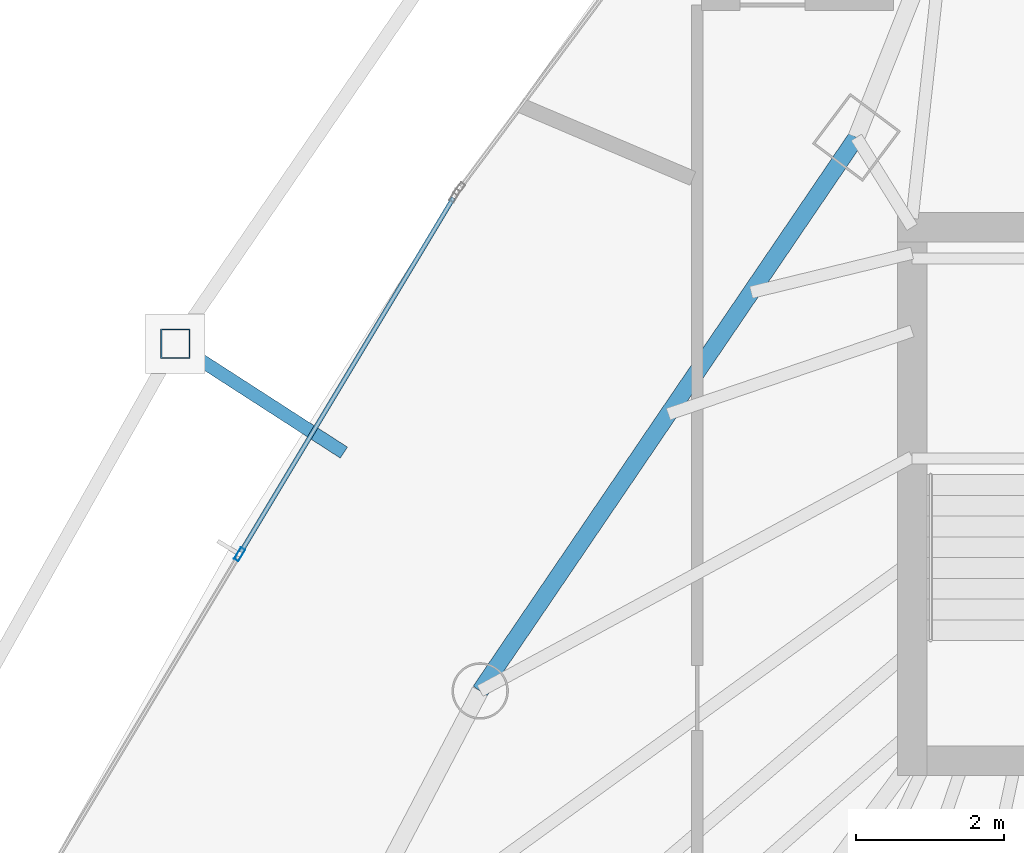
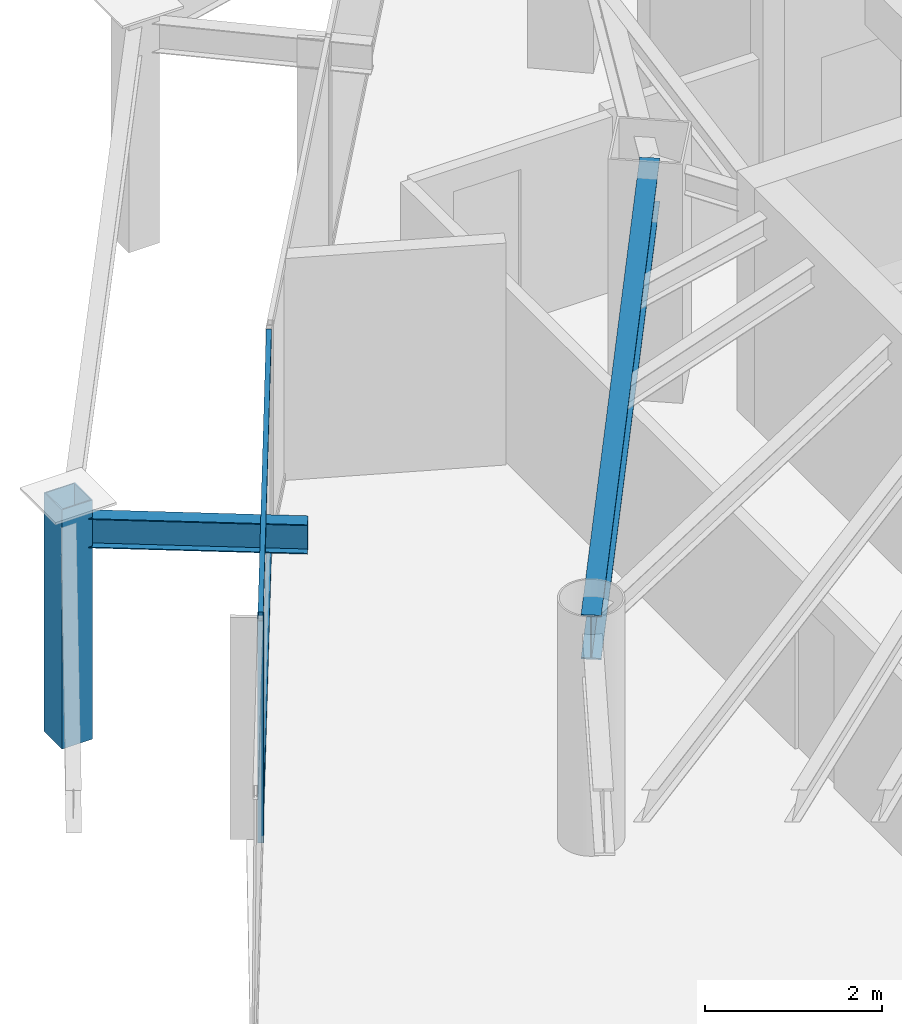
# One storey, part 11 of 31: 4 members, 2 beams, 1 element without a shape of its own.
"""IFC4 building model written with IfcOpenShell, lengths in metres."""

import ifcopenshell
import ifcopenshell.guid

model = None  # the IFC model being written
_history = None  # IfcOwnerHistory: only IFC2X3 demands one
_inside = {}  # id of a spatial element -> (the spatial element, [elements in it])
_under = {}  # id of a project, library or spatial element -> (it, [spatial elements below it])
_declared = {}  # id of a project -> (the project, [libraries it declares])
_typed = {}  # id of a type object -> (the type object, [elements of that type])
_made_of = {}  # id of a material, layer set ... -> (it, [elements and type objects made of it])


def new_model(schema):
    """Start an empty IFC model of exactly this schema.

    Asked for "IFC4X3", IfcOpenShell would pick the latest addendum, in which some entities
    have other attributes; the version numbers below select the first issue.
    IFC2X3 requires an IfcOwnerHistory on every rooted entity: one is made here for all.
    """
    global model, _history
    if schema == "IFC4X3":
        model = ifcopenshell.file(schema_version=(4, 3, 0, 0))
    else:
        model = ifcopenshell.file(schema=schema)
    _inside.clear()
    _under.clear()
    _declared.clear()
    _typed.clear()
    _made_of.clear()
    _history = None
    if model.schema == "IFC2X3":
        org = make("IfcOrganization", Name="unknown")
        user = make(
            "IfcPersonAndOrganization",
            ThePerson=make("IfcPerson", FamilyName="unknown"),
            TheOrganization=org,
        )
        app = make(
            "IfcApplication",
            ApplicationDeveloper=org,
            Version="unknown",
            ApplicationFullName="unknown",
            ApplicationIdentifier="unknown",
        )
        _history = make(
            "IfcOwnerHistory",
            OwningUser=user,
            OwningApplication=app,
            ChangeAction="ADDED",
            CreationDate=0,
        )
    return model


def make(cls, **values):
    """One entity of the class cls with the attributes given. An attribute that is None is left unset."""
    return model.create_entity(
        cls, **{name: value for name, value in values.items() if value is not None}
    )


def rooted(cls, **values):
    """An entity with a GlobalId (a new one), such as an element, a storey or a relation."""
    return make(cls, GlobalId=ifcopenshell.guid.new(), OwnerHistory=_history, **values)


def si_unit(unit_type, name, prefix=None):
    """IfcSIUnit, for example si_unit("LENGTHUNIT", "METRE", prefix="MILLI")."""
    return make("IfcSIUnit", UnitType=unit_type, Prefix=prefix, Name=name)


def assignment(units):
    """IfcUnitAssignment: the units of a project."""
    return None if units is None else make("IfcUnitAssignment", Units=units)


def point(xyz):
    """IfcCartesianPoint."""
    return None if xyz is None else make("IfcCartesianPoint", Coordinates=xyz)


def direction(xyz):
    """IfcDirection."""
    return None if xyz is None else make("IfcDirection", DirectionRatios=xyz)


def frame(location, z_axis=None, x_axis=None):
    """IfcAxis2Placement3D, a coordinate frame: its origin and axes. An axis left out is left unset."""
    return make(
        "IfcAxis2Placement3D",
        Location=point(location),
        Axis=direction(z_axis),
        RefDirection=direction(x_axis),
    )


def frame_2d(location, x_axis=None):
    """IfcAxis2Placement2D, a coordinate frame in the plane: its origin and x axis."""
    return make(
        "IfcAxis2Placement2D", Location=point(location), RefDirection=direction(x_axis)
    )


def origin():
    """The frame at (0, 0, 0) with its axes left unset."""
    return frame((0.0, 0.0, 0.0))


def origin_2d():
    """The frame at (0, 0) in the plane with its x axis left unset."""
    return frame_2d((0.0, 0.0))


def place(relative_to, where):
    """IfcLocalPlacement: puts the frame where relative to a parent placement (None: the world)."""
    return make(
        "IfcLocalPlacement", PlacementRelTo=relative_to, RelativePlacement=where
    )


def context(
    kind, dimensions, precision=None, world=None, true_north=None, identifier=None
):
    """IfcGeometricRepresentationContext, for example the 3D "Model" context."""
    return make(
        "IfcGeometricRepresentationContext",
        ContextIdentifier=identifier,
        ContextType=kind,
        CoordinateSpaceDimension=dimensions,
        Precision=precision,
        WorldCoordinateSystem=world,
        TrueNorth=true_north,
    )


def subcontext(parent, identifier, kind, view, scale=None):
    """IfcGeometricRepresentationSubContext, for example "Body" below "Model"."""
    return make(
        "IfcGeometricRepresentationSubContext",
        ContextIdentifier=identifier,
        ContextType=kind,
        ParentContext=parent,
        TargetScale=scale,
        TargetView=view,
    )


def project(units=None, contexts=None):
    """IfcProject with its units and contexts."""
    return rooted(
        "IfcProject",
        Name="project",
        RepresentationContexts=contexts,
        UnitsInContext=assignment(units),
    )


def spatial(cls, under=None, at=None, **own):
    """A site, building, storey or space (cls), placed at a placement, below another one or the project."""
    s = rooted(cls, ObjectPlacement=at, **own)
    if under is not None:
        _under.setdefault(under.id(), (under, []))[1].append(s)
    return s


def profile(cls, at=None, kind="AREA", **sizes):
    """A parametric profile (cls). Its sizes go by their IFC names, for example OverallWidth=200.0."""
    return make(cls, ProfileType=kind, Position=at, **sizes)


def hollow_rectangle(**sizes):
    """IfcRectangleHollowProfileDef."""
    return profile("IfcRectangleHollowProfileDef", **sizes)


def i_section(**sizes):
    """IfcIShapeProfileDef."""
    return profile("IfcIShapeProfileDef", **sizes)


def extrude(swept, where, along, depth):
    """IfcExtrudedAreaSolid: the profile swept, set in the frame where, extruded along a direction by depth."""
    return make(
        "IfcExtrudedAreaSolid",
        SweptArea=swept,
        Position=where,
        ExtrudedDirection=direction(along),
        Depth=depth,
    )


def shape(context_of_items, identifier, shape_type, items):
    """IfcShapeRepresentation: the items that make up one representation, for example the "Body"."""
    return make(
        "IfcShapeRepresentation",
        ContextOfItems=context_of_items,
        RepresentationIdentifier=identifier,
        RepresentationType=shape_type,
        Items=items,
    )


def material(Name=None, Category=None):
    """IfcMaterial."""
    return make("IfcMaterial", Name=Name, Category=Category)


def layer(
    of_material, thickness, ventilated=None, Name=None, Category=None, Priority=None
):
    """IfcMaterialLayer: one layer of a wall or slab, of a material (None: an air gap)."""
    return make(
        "IfcMaterialLayer",
        Material=of_material,
        LayerThickness=thickness,
        IsVentilated=ventilated,
        Name=Name,
        Category=Category,
        Priority=Priority,
    )


def layer_set(layers, Name=None):
    """IfcMaterialLayerSet."""
    return make("IfcMaterialLayerSet", MaterialLayers=layers, LayerSetName=Name)


def material_profile(
    of_material, cross_section, Name=None, Category=None, Priority=None
):
    """IfcMaterialProfile: a cross section and its material."""
    return make(
        "IfcMaterialProfile",
        Name=Name,
        Material=of_material,
        Profile=cross_section,
        Priority=Priority,
        Category=Category,
    )


def profile_set(profiles, Name=None, composite=None):
    """IfcMaterialProfileSet."""
    return make(
        "IfcMaterialProfileSet",
        Name=Name,
        MaterialProfiles=profiles,
        CompositeProfile=composite,
    )


def made_of(thing, what):
    """Note that an element or type object is made of a material, layer set ...; save() writes the relation."""
    if what is not None:
        _made_of.setdefault(what.id(), (what, []))[1].append(thing)
    return thing


def type_object(cls, material=None, **own):
    """A type object (cls), such as IfcWallType, which elements share."""
    return made_of(rooted(cls, **own), material)


def element(
    cls,
    number,
    at=None,
    inside=None,
    cuts=None,
    type_object=None,
    material=None,
    context=None,
    identifier="Body",
    shape_type=None,
    held_by="IfcProductDefinitionShape",
    body=None,
    shapes=None,
    **own,
):
    """One element of the class cls, such as IfcWall. Its Tag is "e" and its number.

    at: its placement. inside: the storey or other place that contains it. cuts: it is an
    opening in that element (IfcRelVoidsElement). A single representation is given by context,
    identifier, shape_type and body (its items); several are given by shapes. held_by: the class
    of the entity that holds the representations. save() writes the other relations.
    """
    e = rooted(cls, Tag="e%d" % number, ObjectPlacement=at, **own)
    if body is not None:
        shapes = [shape(context, identifier, shape_type, body)]
    if shapes is not None:
        e.Representation = make(held_by, Representations=shapes)
    if inside is not None:
        _inside.setdefault(inside.id(), (inside, []))[1].append(e)
    if cuts is not None:
        rooted(
            "IfcRelVoidsElement", RelatingBuildingElement=cuts, RelatedOpeningElement=e
        )
    if type_object is not None:
        _typed.setdefault(type_object.id(), (type_object, []))[1].append(e)
    return made_of(e, material)


def aggregate(whole, parts):
    """IfcRelAggregates: a whole, such as a stair, and the parts it consists of."""
    return rooted("IfcRelAggregates", RelatingObject=whole, RelatedObjects=parts)


def save(model, path):
    """Write the relations noted so far, then the file.

    IfcRelAggregates (storeys below a building ...), IfcRelContainedInSpatialStructure (elements
    in a storey), IfcRelDefinesByType, IfcRelAssociatesMaterial and IfcRelDeclares: one each for
    every whole, place, type object, material and project.
    """
    for whole, parts in _under.values():
        aggregate(whole, parts)
    for where, things in _inside.values():
        rooted(
            "IfcRelContainedInSpatialStructure",
            RelatedElements=things,
            RelatingStructure=where,
        )
    for kind, things in _typed.values():
        rooted("IfcRelDefinesByType", RelatedObjects=things, RelatingType=kind)
    for what, things in _made_of.values():
        rooted("IfcRelAssociatesMaterial", RelatedObjects=things, RelatingMaterial=what)
    for by, libraries in _declared.values():
        rooted("IfcRelDeclares", RelatingContext=by, RelatedDefinitions=libraries)
    model.write(path)


model = new_model("IFC4")

# Units and contexts
model_context = context("Model", 3, precision=1e-05, world=origin(), true_north=direction((0.0, 1.0)))
body_context = subcontext(model_context, "Body", "Model", "MODEL_VIEW")
ifc_project = project(units=[si_unit("LENGTHUNIT", "METRE"), si_unit("AREAUNIT", "SQUARE_METRE"), si_unit("VOLUMEUNIT", "CUBIC_METRE"), si_unit("PLANEANGLEUNIT", "RADIAN"), si_unit("MASSUNIT", "GRAM", prefix="KILO")], contexts=[model_context])

# Site, building, storey
site_placement = place(None, origin())
site = spatial("IfcSite", under=ifc_project, at=site_placement, CompositionType="ELEMENT")
building_placement = place(site_placement, origin())
building = spatial("IfcBuilding", under=site, at=building_placement, Name="Orvanel Arch Residences", CompositionType="ELEMENT")
storey_placement = place(building_placement, frame((0.0, 0.0, 133.10009765625)))
storey = spatial("IfcBuildingStorey", under=building, at=storey_placement, Name="L37", CompositionType="ELEMENT", Elevation=133.10009765625)

# Curtain wall, member
ifc_material_1 = material(Name="Bronze-anodised aluminium AA6063-T6", Category="aluminium")
ifc_layer = layer(ifc_material_1, 0.179931640625)
ifc_layer_set = layer_set([ifc_layer], Name="Bronze-anodised aluminium AA6063-T6")
curtain_wall_type = type_object("IfcCurtainWallType", Name="CW3-MID-SYS", PredefinedType="NOTDEFINED", material=ifc_layer_set)
curtain_wall_placement = place(storey_placement, origin())
curtain_wall = element("IfcCurtainWall", 1, at=curtain_wall_placement, inside=storey, type_object=curtain_wall_type, Name="L37 CW3-MID-SYS Unitised Curtain Wall", PredefinedType="NOTDEFINED")
ifc_material_profile_1 = material_profile(ifc_material_1, hollow_rectangle(XDim=0.070068359375, YDim=0.179931640625, WallThickness=0.00439453125, at=origin_2d()), Name="ALU180x70x4.5")
ifc_profile_set_1 = profile_set([ifc_material_profile_1], Name="Bronze-anodised aluminium AA6063-T6")
member_type_1 = type_object("IfcMemberType", Name="MUL-180x70", PredefinedType="MULLION", material=ifc_profile_set_1)
member_1_placement = place(storey_placement, frame((17.322509765625, 29.486083984375, 0.0), z_axis=(0.0, 0.0, 1.0), x_axis=(0.857531765451, -0.514431016991, 0.0)))
member_1 = element("IfcMember", 2, at=member_1_placement, type_object=member_type_1, Name="CW-S3 mullion 2", PredefinedType="MULLION", context=body_context, shape_type="SweptSolid", body=[
    extrude(hollow_rectangle(XDim=0.070068359375, YDim=0.179931640625, WallThickness=0.00439453125, at=origin_2d()), origin(), (0.0, 0.0, 1.0), 3.059814453125),
])

# Beams
ifc_material_2 = material(Name="Structural steel AS/NZS 3679.1 Grade 300 (300 MPa)", Category="steel")
ifc_material_profile_2 = material_profile(ifc_material_2, i_section(OverallWidth=0.177978515625, OverallDepth=0.406005859375, WebThickness=0.0078125, FlangeThickness=0.0126953125, at=origin_2d()), Name="410UB59.7")
ifc_profile_set_2 = profile_set([ifc_material_profile_2], Name="Structural steel AS/NZS 3679.1 Grade 300 (300 MPa)")
beam_type_1 = type_object("IfcBeamType", Name="OB-410UB-EXT", PredefinedType="SPANDREL", material=ifc_profile_set_2)
beam_1_placement = place(storey_placement, frame((18.72998046875, 30.85791015625, 2.85693359375), z_axis=(-0.840239663799, 0.542215185493, 0.0), x_axis=(-0.542215185493, -0.840239663799, 0.0)))
element("IfcBeam", 3, at=beam_1_placement, inside=storey, type_object=beam_type_1, Name="L37 Outer Frame Radial Tie Beam 02", PredefinedType="SPANDREL", context=body_context, shape_type="SweptSolid", body=[
    extrude(i_section(OverallWidth=0.177978515625, OverallDepth=0.406005859375, WebThickness=0.0078125, FlangeThickness=0.0126953125, at=origin_2d()), origin(), (0.0, 0.0, 1.0), 2.70751953125),
])
ifc_material_profile_3 = material_profile(ifc_material_2, i_section(OverallWidth=0.22900390625, OverallDepth=0.612060546875, WebThickness=0.011962890625, FlangeThickness=0.01953125, at=origin_2d()), Name="610UB125")
ifc_profile_set_3 = profile_set([ifc_material_profile_3], Name="Structural steel AS/NZS 3679.1 Grade 300 (300 MPa)")
beam_type_2 = type_object("IfcBeamType", Name="SP-610UB", PredefinedType="SPANDREL", material=ifc_profile_set_3)
beam_2_placement = place(storey_placement, frame((25.64794921875, 35.113037109375, 2.75390625), z_axis=(-0.562154793153, -0.827032035978, 0.0), x_axis=(0.827032035978, -0.562154793153, 0.0)))
element("IfcBeam", 4, at=beam_2_placement, inside=storey, type_object=beam_type_2, Name="L37 Perimeter Spandrel Beam 17", PredefinedType="SPANDREL", context=body_context, shape_type="SweptSolid", body=[
    extrude(i_section(OverallWidth=0.22900390625, OverallDepth=0.612060546875, WebThickness=0.011962890625, FlangeThickness=0.01953125, at=origin_2d()), origin(), (0.0, 0.0, 1.0), 9.03466796875),
])

# Member
ifc_material_3 = material(Name="Structural steel AS/NZS 1163 C450L0 (Grade 450)", Category="steel")
ifc_material_profile_4 = material_profile(ifc_material_3, hollow_rectangle(XDim=0.39990234375, YDim=0.39990234375, WallThickness=0.01611328125, at=origin_2d()), Name="SHS400x400x16")
ifc_profile_set_4 = profile_set([ifc_material_profile_4], Name="Structural steel AS/NZS 1163 C450L0 (Grade 450)")
member_type_2 = type_object("IfcMemberType", Name="ST-400SHS-EXT", PredefinedType="STRUT", material=ifc_profile_set_4)
member_2_placement = place(storey_placement, frame((16.455078125, 32.325927734375, 0.0), z_axis=(0.0, 0.0, 1.0), x_axis=(1.0, 0.0, 0.0)))
element("IfcMember", 5, at=member_2_placement, inside=storey, type_object=member_type_2, Name="L37 Outer Perimeter Frame Post 02", PredefinedType="STRUT", context=body_context, shape_type="SweptSolid", body=[
    extrude(hollow_rectangle(XDim=0.39990234375, YDim=0.39990234375, WallThickness=0.01611328125, at=origin_2d()), origin(), (0.0, 0.0, 1.0), 3.2998046875),
])

ifc_material_profile_5 = material_profile(ifc_material_1, hollow_rectangle(XDim=0.06005859375, YDim=0.135009765625, WallThickness=0.00390625, at=origin_2d()), Name="ALU135x60x4")
ifc_profile_set_5 = profile_set([ifc_material_profile_5], Name="Bronze-anodised aluminium AA6063-T6")
member_type_3 = type_object("IfcMemberType", Name="TRN-135x60", PredefinedType="USERDEFINED", material=ifc_profile_set_5)
member_3_placement = place(storey_placement, frame((20.2080078125, 34.2958984375, 0.02978515625), z_axis=(-0.514437782899, -0.857527706565, 0.0), x_axis=(0.857527706565, -0.514437782899, 0.0)))
member_3 = element("IfcMember", 6, at=member_3_placement, type_object=member_type_3, Name="CW-S3 transom 1.1", ObjectType="TRANSOM", PredefinedType="USERDEFINED", context=body_context, shape_type="SweptSolid", body=[
    extrude(hollow_rectangle(XDim=0.06005859375, YDim=0.135009765625, WallThickness=0.00390625, at=origin_2d()), origin(), (0.0, 0.0, 1.0), 5.573974609375),
])

member_4_placement = place(storey_placement, frame((20.2080078125, 34.2958984375, 3.02978515625), z_axis=(-0.514437782899, -0.857527706565, 0.0), x_axis=(0.857527706565, -0.514437782899, 0.0)))
member_4 = element("IfcMember", 7, at=member_4_placement, type_object=member_type_3, Name="CW-S3 transom 1.2", ObjectType="TRANSOM", PredefinedType="USERDEFINED", context=body_context, shape_type="SweptSolid", body=[
    extrude(hollow_rectangle(XDim=0.06005859375, YDim=0.135009765625, WallThickness=0.00390625, at=origin_2d()), origin(), (0.0, 0.0, 1.0), 5.573974609375),
])

aggregate(curtain_wall, [member_1, member_3, member_4])

save(model, "model.ifc")
